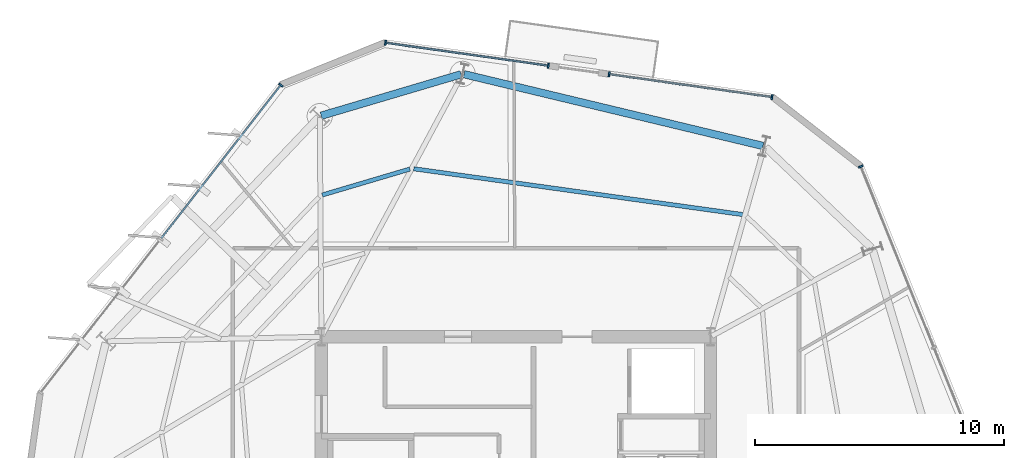
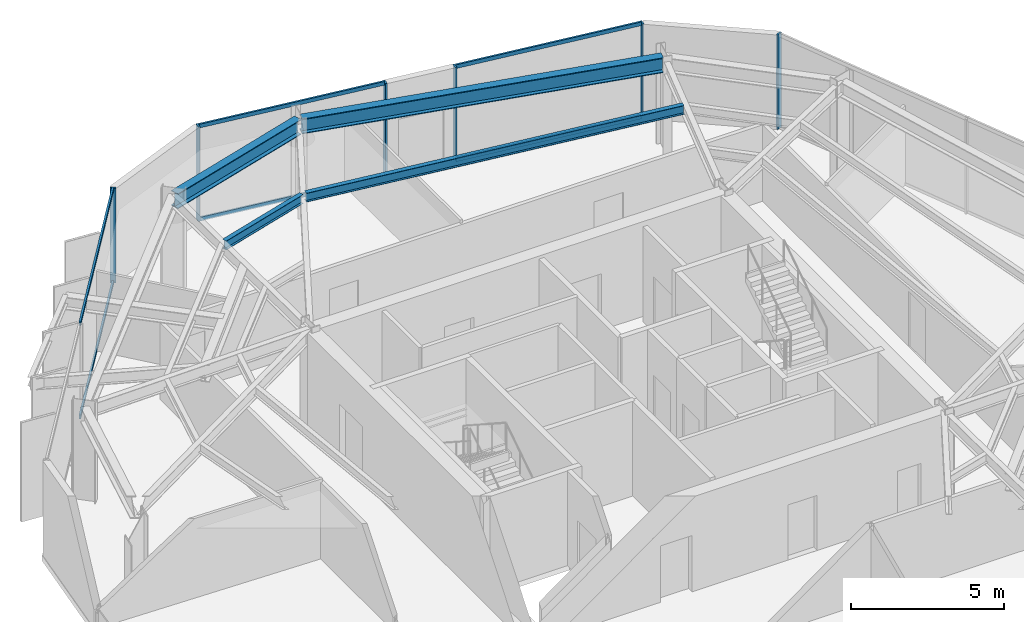
# One storey, part 5 of 11: 12 members, 4 beams, 4 elements without a shape of their own.
"""IFC4 building model written with IfcOpenShell, lengths in metres."""

from ifc_helpers import new_model, si_unit, direction, frame, origin, origin_2d, place, context, subcontext, project, spatial, rectangle, i_section, extrude, material, layer, layer_set, material_profile, profile_set, type_object, element, aggregate, save


model = new_model("IFC4")

# Units and contexts
model_context = context("Model", 3, precision=1e-05, world=origin(), true_north=direction((0.0, 1.0)))
body_context = subcontext(model_context, "Body", "Model", "MODEL_VIEW")
ifc_project = project(units=[si_unit("LENGTHUNIT", "METRE"), si_unit("AREAUNIT", "SQUARE_METRE"), si_unit("VOLUMEUNIT", "CUBIC_METRE"), si_unit("PLANEANGLEUNIT", "RADIAN"), si_unit("MASSUNIT", "GRAM", prefix="KILO")], contexts=[model_context])

# Site, building, storey
site_placement = place(None, origin())
site = spatial("IfcSite", under=ifc_project, at=site_placement, CompositionType="ELEMENT")
building_placement = place(site_placement, origin())
building = spatial("IfcBuilding", under=site, at=building_placement, Name="Kranzbogen Civic Tower", CompositionType="ELEMENT")
storey_placement = place(building_placement, frame((0.0, 0.0, 232.800048828125)))
storey = spatial("IfcBuildingStorey", under=building, at=storey_placement, Name="L56", CompositionType="ELEMENT", Elevation=232.800048828125)

# Curtain wall, members
ifc_material_1 = material(Name="Pale Anodised Aluminium", Category="aluminium")
ifc_layer = layer(ifc_material_1, 0.219970703125, Name="Pale Anodised Aluminium")
ifc_layer_set = layer_set([ifc_layer], Name="Pale Anodised Aluminium")
curtain_wall_type = type_object("IfcCurtainWallType", Name="Zone 3 Stick Curtain Wall System CW-04", PredefinedType="USERDEFINED", material=ifc_layer_set)
curtain_wall_1_placement = place(storey_placement, origin())
curtain_wall_1 = element("IfcCurtainWall", 1, at=curtain_wall_1_placement, inside=storey, type_object=curtain_wall_type, Name="L56 curtain wall CW-L56-F1-S1", ObjectType="STICK CURTAIN WALL", PredefinedType="USERDEFINED")
ifc_material_profile_1 = material_profile(ifc_material_1, rectangle(XDim=0.070068359375, YDim=0.199951171875, at=origin_2d()), Name="ALU-M 70x200")
ifc_profile_set_1 = profile_set([ifc_material_profile_1], Name="Pale Anodised Aluminium")
member_type_1 = type_object("IfcMemberType", Name="Curtain Wall Mullion ALU-M 70x200", PredefinedType="MULLION", material=ifc_profile_set_1)
member_1_placement = place(storey_placement, frame((35.26318359375, 41.80712890625, 0.0), z_axis=(0.0, 0.0, 1.0), x_axis=(-0.99026855673, 0.139169628699, 0.0)))
member_1 = element("IfcMember", 2, at=member_1_placement, type_object=member_type_1, Name="CW-04 mullion 1", PredefinedType="MULLION", context=body_context, shape_type="SweptSolid", body=[
    extrude(rectangle(XDim=0.070068359375, YDim=0.199951171875, at=origin_2d()), origin(), (0.0, 0.0, 1.0), 3.780029296875),
])
member_2_placement = place(storey_placement, frame((28.733642578125, 42.724853515625, 0.0), z_axis=(0.0, 0.0, 1.0), x_axis=(-0.99026855673, 0.139169628699, 0.0)))
member_2 = element("IfcMember", 3, at=member_2_placement, type_object=member_type_1, Name="CW-04 mullion 2", PredefinedType="MULLION", context=body_context, shape_type="SweptSolid", body=[
    extrude(rectangle(XDim=0.070068359375, YDim=0.199951171875, at=origin_2d()), origin(), (0.0, 0.0, 1.0), 3.780029296875),
])

curtain_wall_2_placement = place(storey_placement, origin())
curtain_wall_2 = element("IfcCurtainWall", 4, at=curtain_wall_2_placement, inside=storey, type_object=curtain_wall_type, Name="L56 curtain wall CW-L56-F1-S2", ObjectType="STICK CURTAIN WALL", PredefinedType="USERDEFINED")
member_3_placement = place(storey_placement, frame((26.29736328125, 43.067138671875, 0.0), z_axis=(0.0, 0.0, 1.0), x_axis=(-0.990271466947, 0.139148919332, 0.0)))
member_3 = element("IfcMember", 5, at=member_3_placement, type_object=member_type_1, Name="CW-04 mullion 1", PredefinedType="MULLION", context=body_context, shape_type="SweptSolid", body=[
    extrude(rectangle(XDim=0.070068359375, YDim=0.199951171875, at=origin_2d()), origin(), (0.0, 0.0, 1.0), 3.780029296875),
])
member_4_placement = place(storey_placement, frame((19.7666015625, 43.98486328125, 0.0), z_axis=(0.0, 0.0, 1.0), x_axis=(-0.990271466947, 0.139148919332, 0.0)))
member_4 = element("IfcMember", 6, at=member_4_placement, type_object=member_type_1, Name="CW-04 mullion 2", PredefinedType="MULLION", context=body_context, shape_type="SweptSolid", body=[
    extrude(rectangle(XDim=0.070068359375, YDim=0.199951171875, at=origin_2d()), origin(), (0.0, 0.0, 1.0), 3.780029296875),
])

# Curtain wall, member
curtain_wall_3_placement = place(storey_placement, origin())
curtain_wall_3 = element("IfcCurtainWall", 7, at=curtain_wall_3_placement, inside=storey, type_object=curtain_wall_type, Name="L56 curtain wall CW-L56-F2", ObjectType="STICK CURTAIN WALL", PredefinedType="USERDEFINED")
member_5_placement = place(storey_placement, frame((15.576416015625, 42.291259765625, 0.0), z_axis=(0.0, 0.0, 1.0), x_axis=(-0.615631687439, -0.788034025548, 0.0)))
member_5 = element("IfcMember", 8, at=member_5_placement, type_object=member_type_1, Name="CW-04 mullion 1", PredefinedType="MULLION", context=body_context, shape_type="SweptSolid", body=[
    extrude(rectangle(XDim=0.070068359375, YDim=0.199951171875, at=origin_2d()), origin(), (0.0, 0.0, 1.0), 3.780029296875),
])

curtain_wall_4_placement = place(storey_placement, origin())
curtain_wall_4 = element("IfcCurtainWall", 9, at=curtain_wall_4_placement, inside=storey, type_object=curtain_wall_type, Name="L56 curtain wall CW-L56-F6", ObjectType="STICK CURTAIN WALL", PredefinedType="USERDEFINED")
member_6_placement = place(storey_placement, frame((38.8251953125, 39.024169921875, 0.0), z_axis=(0.0, 0.0, 1.0), x_axis=(-0.374593570389, 0.927189116105, 0.0)))
member_6 = element("IfcMember", 10, at=member_6_placement, type_object=member_type_1, Name="CW-04 mullion 3", PredefinedType="MULLION", context=body_context, shape_type="SweptSolid", body=[
    extrude(rectangle(XDim=0.070068359375, YDim=0.199951171875, at=origin_2d()), origin(), (0.0, 0.0, 1.0), 3.780029296875),
])
aggregate(curtain_wall_4, [member_6])

# Member
ifc_material_profile_2 = material_profile(ifc_material_1, rectangle(XDim=0.070068359375, YDim=0.14990234375, at=origin_2d()), Name="ALU-T 70x150")
ifc_profile_set_2 = profile_set([ifc_material_profile_2], Name="Pale Anodised Aluminium")
member_type_2 = type_object("IfcMemberType", Name="Curtain Wall Transom ALU-T 70x150", PredefinedType="USERDEFINED", material=ifc_profile_set_2)
member_7_placement = place(storey_placement, frame((35.233642578125, 41.811279296875, 0.030029296875), z_axis=(-0.990266076746, 0.139187274012, 0.0), x_axis=(-0.139187274012, -0.990266076746, 0.0)))
member_7 = element("IfcMember", 11, at=member_7_placement, type_object=member_type_2, Name="CW-04 transom 1.1", ObjectType="TRANSOM", PredefinedType="USERDEFINED", context=body_context, shape_type="SweptSolid", body=[
    extrude(rectangle(XDim=0.070068359375, YDim=0.14990234375, at=origin_2d()), origin(), (0.0, 0.0, 1.0), 6.533935546875),
])

member_8_placement = place(storey_placement, frame((35.233642578125, 41.811279296875, 3.75), z_axis=(-0.990266076746, 0.139187274012, 0.0), x_axis=(-0.139187274012, -0.990266076746, 0.0)))
member_8 = element("IfcMember", 12, at=member_8_placement, type_object=member_type_2, Name="CW-04 transom 1.2", ObjectType="TRANSOM", PredefinedType="USERDEFINED", context=body_context, shape_type="SweptSolid", body=[
    extrude(rectangle(XDim=0.070068359375, YDim=0.14990234375, at=origin_2d()), origin(), (0.0, 0.0, 1.0), 6.533935546875),
])

aggregate(curtain_wall_1, [member_1, member_2, member_7, member_8])

member_9_placement = place(storey_placement, frame((26.267578125, 43.0712890625, 0.030029296875), z_axis=(-0.990268971661, 0.139166676203, 0.0), x_axis=(-0.139166676203, -0.990268971661, 0.0)))
member_9 = element("IfcMember", 13, at=member_9_placement, type_object=member_type_2, Name="CW-04 transom 1.1", ObjectType="TRANSOM", PredefinedType="USERDEFINED", context=body_context, shape_type="SweptSolid", body=[
    extrude(rectangle(XDim=0.070068359375, YDim=0.14990234375, at=origin_2d()), origin(), (0.0, 0.0, 1.0), 6.53466796875),
])

member_10_placement = place(storey_placement, frame((26.267578125, 43.0712890625, 3.75), z_axis=(-0.990268971661, 0.139166676203, 0.0), x_axis=(-0.139166676203, -0.990268971661, 0.0)))
member_10 = element("IfcMember", 14, at=member_10_placement, type_object=member_type_2, Name="CW-04 transom 1.2", ObjectType="TRANSOM", PredefinedType="USERDEFINED", context=body_context, shape_type="SweptSolid", body=[
    extrude(rectangle(XDim=0.070068359375, YDim=0.14990234375, at=origin_2d()), origin(), (0.0, 0.0, 1.0), 6.53466796875),
])

aggregate(curtain_wall_2, [member_3, member_4, member_9, member_10])

member_11_placement = place(storey_placement, frame((15.55810546875, 42.267822265625, 0.030029296875), z_axis=(-0.61562207326, -0.788041536288, 0.0), x_axis=(0.788041536288, -0.61562207326, 0.0)))
member_11 = element("IfcMember", 15, at=member_11_placement, type_object=member_type_2, Name="CW-04 transom 1.1", ObjectType="TRANSOM", PredefinedType="USERDEFINED", context=body_context, shape_type="SweptSolid", body=[
    extrude(rectangle(XDim=0.070068359375, YDim=0.14990234375, at=origin_2d()), origin(), (0.0, 0.0, 1.0), 7.763671875),
])

member_12_placement = place(storey_placement, frame((15.55810546875, 42.267822265625, 3.75), z_axis=(-0.61562207326, -0.788041536288, 0.0), x_axis=(0.788041536288, -0.61562207326, 0.0)))
member_12 = element("IfcMember", 16, at=member_12_placement, type_object=member_type_2, Name="CW-04 transom 1.2", ObjectType="TRANSOM", PredefinedType="USERDEFINED", context=body_context, shape_type="SweptSolid", body=[
    extrude(rectangle(XDim=0.070068359375, YDim=0.14990234375, at=origin_2d()), origin(), (0.0, 0.0, 1.0), 7.763671875),
])

aggregate(curtain_wall_3, [member_5, member_11, member_12])

# Beams
ifc_material_2 = material(Name="Steel S355", Category="steel")
ifc_material_profile_3 = material_profile(ifc_material_2, i_section(OverallWidth=0.300048828125, OverallDepth=0.60009765625, WebThickness=0.015380859375, FlangeThickness=0.030029296875, at=origin_2d()), Name="HEB 600")
ifc_profile_set_3 = profile_set([ifc_material_profile_3], Name="Steel S355")
beam_type_1 = type_object("IfcBeamType", Name="Perimeter Tube Spandrel Beam HEB 600", PredefinedType="SPANDREL", material=ifc_profile_set_3)
beam_1_placement = place(storey_placement, frame((34.903076171875, 39.84912109375, 3.47998046875), z_axis=(-0.972377592092, 0.233413406637, 0.0), x_axis=(-0.233413406637, -0.972377592092, 0.0)))
element("IfcBeam", 17, at=beam_1_placement, inside=storey, type_object=beam_type_1, Name="L56 perimeter spandrel beam 08", PredefinedType="SPANDREL", context=body_context, shape_type="SweptSolid", body=[
    extrude(i_section(OverallWidth=0.300048828125, OverallDepth=0.60009765625, WebThickness=0.015380859375, FlangeThickness=0.030029296875, at=origin_2d()), origin(), (0.0, 0.0, 1.0), 12.32568359375),
])
beam_2_placement = place(storey_placement, frame((22.802001953125, 42.722900390625, 3.47998046875), z_axis=(-0.9588296723, -0.283981794341, 0.0), x_axis=(0.283981794341, -0.9588296723, 0.0)))
element("IfcBeam", 18, at=beam_2_placement, inside=storey, type_object=beam_type_1, Name="L56 perimeter spandrel beam 09", PredefinedType="SPANDREL", context=body_context, shape_type="SweptSolid", body=[
    extrude(i_section(OverallWidth=0.300048828125, OverallDepth=0.60009765625, WebThickness=0.015380859375, FlangeThickness=0.030029296875, at=origin_2d()), origin(), (0.0, 0.0, 1.0), 5.85205078125),
])
ifc_material_profile_4 = material_profile(ifc_material_2, i_section(OverallWidth=0.169921875, OverallDepth=0.360107421875, WebThickness=0.008056640625, FlangeThickness=0.0126953125, at=origin_2d()), Name="IPE 360")
ifc_profile_set_4 = profile_set([ifc_material_profile_4], Name="Steel S355")
beam_type_2 = type_object("IfcBeamType", Name="Secondary Composite Floor Joist IPE 360", PredefinedType="JOIST", material=ifc_profile_set_4)
beam_3_placement = place(storey_placement, frame((34.10400390625, 37.096923828125, 3.599853515625), z_axis=(-0.990445837232, 0.137902296968, 0.0), x_axis=(-0.137902296968, -0.990445837232, 0.0)))
element("IfcBeam", 19, at=beam_3_placement, inside=storey, type_object=beam_type_2, Name="L56 secondary floor joist 1.08", PredefinedType="JOIST", context=body_context, shape_type="SweptSolid", body=[
    extrude(i_section(OverallWidth=0.169921875, OverallDepth=0.360107421875, WebThickness=0.008056640625, FlangeThickness=0.0126953125, at=origin_2d()), origin(), (0.0, 0.0, 1.0), 13.329345703125),
])
beam_4_placement = place(storey_placement, frame((20.74609375, 38.923095703125, 3.599853515625), z_axis=(-0.958843823165, -0.283934011309, 0.0), x_axis=(0.283934011309, -0.958843823165, 0.0)))
element("IfcBeam", 20, at=beam_4_placement, inside=storey, type_object=beam_type_2, Name="L56 secondary floor joist 1.09", PredefinedType="JOIST", context=body_context, shape_type="SweptSolid", body=[
    extrude(i_section(OverallWidth=0.169921875, OverallDepth=0.360107421875, WebThickness=0.008056640625, FlangeThickness=0.0126953125, at=origin_2d()), origin(), (0.0, 0.0, 1.0), 3.662841796875),
])

save(model, "model.ifc")
